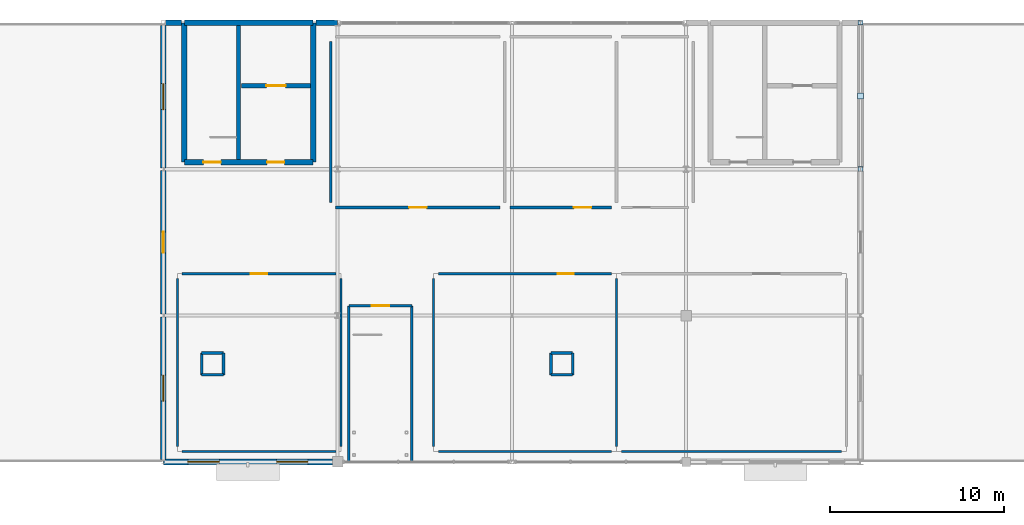
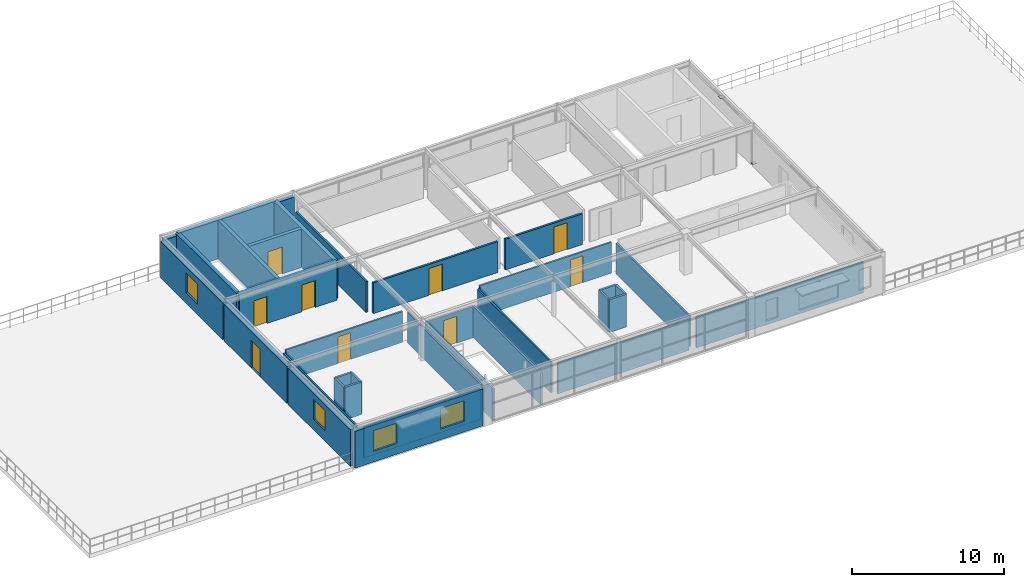
# One storey, part 10 of 12: 35 walls, 9 doors, 4 windows, 3 plates, 13 openings.
"""IFC4 building model written with IfcOpenShell, lengths in metres."""

from ifc_helpers import new_model, si_unit, derived_unit, direction, frame, frame_2d, origin, origin_2d_with_axis, place, context, subcontext, project, spatial, rectangle, extrude, material, layer, layer_set, type_object, element, fill, save


model = new_model("IFC4")

# Units and contexts
model_context = context("Model", 3, precision=1e-05, world=origin(), true_north=direction((0.0, 1.0)))
body_context = subcontext(model_context, "Body", "Model", "MODEL_VIEW")
ifc_project = project(units=[si_unit("LENGTHUNIT", "METRE"), si_unit("AREAUNIT", "SQUARE_METRE"), si_unit("VOLUMEUNIT", "CUBIC_METRE"), si_unit("PLANEANGLEUNIT", "RADIAN"), si_unit("MASSUNIT", "GRAM", prefix="KILO"), derived_unit("THERMALTRANSMITTANCEUNIT", [(si_unit("POWERUNIT", "WATT"), 1), (si_unit("LENGTHUNIT", "METRE"), -2), (si_unit("THERMODYNAMICTEMPERATUREUNIT", "KELVIN"), -1)])], contexts=[model_context])

# Site, building, storey
site_placement = place(None, origin())
site = spatial("IfcSite", under=ifc_project, at=site_placement, CompositionType="ELEMENT")
building_placement = place(site_placement, origin())
building = spatial("IfcBuilding", under=site, at=building_placement, Name="Cinnabar Yard Market Hall", CompositionType="ELEMENT")
storey_placement = place(building_placement, frame((0.0, 0.0, 15.300048828125)))
storey = spatial("IfcBuildingStorey", under=building, at=storey_placement, Name="L04", CompositionType="ELEMENT", Elevation=15.300048828125)

# Plates
ifc_material_1 = material(Name="Steel Grade 350 (350 MPa)", Category="steel")
ifc_layer_1 = layer(ifc_material_1, 0.01611328125)
ifc_layer_set_1 = layer_set([ifc_layer_1], Name="Steel Grade 350 (350 MPa)")
plate_type_1 = type_object("IfcPlateType", Name="PL-NP18E", PredefinedType="SHEET", material=ifc_layer_set_1)
plate_placement = place(storey_placement, frame((136.0, 133.800048828125, 2.891845703125), z_axis=(0.0, 0.0, 1.0), x_axis=(1.0, 0.0, 0.0)))
element("IfcPlate", 1, at=plate_placement, inside=storey, type_object=plate_type_1, Name="Brace Apex Gusset CBF-V3-E4", PredefinedType="SHEET", context=body_context, shape_type="SweptSolid", body=[
    extrude(rectangle(XDim=0.340087890625, YDim=0.340087890625, at=origin_2d_with_axis()), origin(), (0.0, 0.0, 1.0), 0.01611328125),
])
ifc_layer_2 = layer(ifc_material_1, 0.01611328125)
ifc_layer_set_2 = layer_set([ifc_layer_2], Name="Steel Grade 350 (350 MPa)")
plate_type_2 = type_object("IfcPlateType", Name="PL-NP19E", PredefinedType="SHEET", material=ifc_layer_set_2)
for number, where, z_axis, x_axis, name in (
    (2, (136.0, 129.60009765625, 0.1318359375), (0.0, 0.0, 1.0), (1.0, 0.0, 0.0), "Brace Base Gusset CBF-V3-E4 L"),
    (3, (136.0, 138.0, 0.1318359375), (0.0, 0.0, 1.0), (1.0, 0.0, 0.0), "Brace Base Gusset CBF-V3-E4 R"),
):
    element("IfcPlate", number, at=place(storey_placement, frame(where, z_axis=z_axis, x_axis=x_axis)), inside=storey, type_object=plate_type_2, Name=name, PredefinedType="SHEET", context=body_context, shape_type="SweptSolid", body=[
        extrude(rectangle(XDim=0.280029296875, YDim=0.280029296875, at=origin_2d_with_axis()), origin(), (0.0, 0.0, 1.0), 0.01611328125),
    ])

# Walls
ifc_material_2 = material(Name="Acoustic steel-stud plasterboard", Category="steel")
ifc_layer_3 = layer(ifc_material_2, 0.1201171875)
ifc_layer_set_3 = layer_set([ifc_layer_3], Name="Acoustic steel-stud plasterboard")
wall_type_1 = type_object("IfcWallType", Name="WL-PT120", PredefinedType="PARTITIONING", material=ifc_layer_set_3)
wall_1_placement = place(storey_placement, frame((97.080078125, 113.39990234375, 0.0), z_axis=(0.0, 0.0, 1.0), x_axis=(1.0, 0.0, 0.0)))
element("IfcWall", 4, at=wall_1_placement, inside=storey, type_object=wall_type_1, Name="Partition Market Management and Operations Office south", PredefinedType="PARTITIONING", context=body_context, shape_type="SweptSolid", body=[
    extrude(rectangle(XDim=8.83984375, YDim=0.1201171875, at=frame_2d((4.419921875, 0.0), x_axis=(1.0, 0.0))), origin(), (0.0, 0.0, 1.0), 2.469970703125),
])
wall_2_placement = place(storey_placement, frame((106.199951171875, 113.679931640625, 0.0), z_axis=(0.0, 0.0, 1.0), x_axis=(0.0, 1.0, 0.0)))
element("IfcWall", 5, at=wall_2_placement, inside=storey, type_object=wall_type_1, Name="Partition Market Management and Operations Office east", PredefinedType="PARTITIONING", context=body_context, shape_type="SweptSolid", body=[
    extrude(rectangle(XDim=9.64013671875, YDim=0.1201171875, at=frame_2d((4.820068359375, 0.0), x_axis=(1.0, 0.0))), origin(), (0.0, 0.0, 1.0), 2.469970703125),
])

# Wall, opening, door
wall_3_placement = place(storey_placement, frame((105.919921875, 123.60009765625, 0.0), z_axis=(0.0, 0.0, 1.0), x_axis=(-1.0, 0.0, 0.0)))
wall_3 = element("IfcWall", 6, at=wall_3_placement, inside=storey, type_object=wall_type_1, Name="Partition Market Management and Operations Office north", PredefinedType="PARTITIONING", context=body_context, shape_type="SweptSolid", body=[
    extrude(rectangle(XDim=8.83984375, YDim=0.1201171875, at=frame_2d((4.419921875, 0.0), x_axis=(1.0, 0.0))), origin(), (0.0, 0.0, 1.0), 2.469970703125),
])
opening_1_placement = place(wall_3_placement, frame((3.945068359375, 0.0, 0.0)))
opening_1 = element("IfcOpeningElement", 7, at=opening_1_placement, cuts=wall_3, Name="Opening ID-184", PredefinedType="OPENING", context=body_context, shape_type="SweptSolid", body=[
    extrude(rectangle(XDim=0.949951171875, YDim=2.14990234375, at=frame_2d((0.47509765625, 1.074951171875), x_axis=(1.0, 0.0))), frame((0.0, 0.070068359375, 0.0), z_axis=(0.0, -1.0, 0.0), x_axis=(1.0, 0.0, 0.0)), (0.0, 0.0, 1.0), 0.14013671875),
])
ifc_material_3 = material(Name="Solid-core spotted gum timber", Category="wood")
door_type_1 = type_object("IfcDoorType", Name="DR-D06", OperationType="NOTDEFINED", PredefinedType="DOOR", material=ifc_material_3)
door_1_placement = place(opening_1_placement, origin())
door_1 = element("IfcDoor", 8, at=door_1_placement, inside=storey, type_object=door_type_1, Name="Interior Door ID-184", OperationType="SINGLE_SWING_LEFT", OverallHeight=2.14990234375, OverallWidth=0.949951171875, PredefinedType="DOOR", context=body_context, shape_type="SweptSolid", body=[
    extrude(rectangle(XDim=0.949951171875, YDim=2.14990234375, at=frame_2d((0.47509765625, 1.074951171875), x_axis=(1.0, 0.0))), frame((0.0, 0.02490234375, 0.0), z_axis=(0.0, -1.0, 0.0), x_axis=(1.0, 0.0, 0.0)), (0.0, 0.0, 1.0), 0.050048828125),
])
fill(opening_1, door_1)

# Walls
wall_4_placement = place(storey_placement, frame((96.800048828125, 123.320068359375, 0.0), z_axis=(0.0, 0.0, 1.0), x_axis=(0.0, -1.0, 0.0)))
element("IfcWall", 9, at=wall_4_placement, inside=storey, type_object=wall_type_1, Name="Partition Market Management and Operations Office west", PredefinedType="PARTITIONING", context=body_context, shape_type="SweptSolid", body=[
    extrude(rectangle(XDim=9.64013671875, YDim=0.1201171875, at=frame_2d((4.820068359375, 0.0), x_axis=(1.0, 0.0))), origin(), (0.0, 0.0, 1.0), 2.469970703125),
])
wall_5_placement = place(storey_placement, frame((111.780029296875, 113.39990234375, 0.0), z_axis=(0.0, 0.0, 1.0), x_axis=(1.0, 0.0, 0.0)))
element("IfcWall", 10, at=wall_5_placement, inside=storey, type_object=wall_type_1, Name="Partition Stallholder Services and Finance Office south", PredefinedType="PARTITIONING", context=body_context, shape_type="SweptSolid", body=[
    extrude(rectangle(XDim=9.93994140625, YDim=0.1201171875, at=frame_2d((4.969970703125, 0.0), x_axis=(1.0, 0.0))), origin(), (0.0, 0.0, 1.0), 2.469970703125),
])
wall_6_placement = place(storey_placement, frame((122.0, 113.679931640625, 0.0), z_axis=(0.0, 0.0, 1.0), x_axis=(0.0, 1.0, 0.0)))
element("IfcWall", 11, at=wall_6_placement, inside=storey, type_object=wall_type_1, Name="Partition Stallholder Services and Finance Office east", PredefinedType="PARTITIONING", context=body_context, shape_type="SweptSolid", body=[
    extrude(rectangle(XDim=9.64013671875, YDim=0.1201171875, at=frame_2d((4.820068359375, 0.0), x_axis=(1.0, 0.0))), origin(), (0.0, 0.0, 1.0), 2.469970703125),
])

# Wall, opening, door
wall_7_placement = place(storey_placement, frame((121.719970703125, 123.60009765625, 0.0), z_axis=(0.0, 0.0, 1.0), x_axis=(-1.0, 0.0, 0.0)))
wall_7 = element("IfcWall", 12, at=wall_7_placement, inside=storey, type_object=wall_type_1, Name="Partition Stallholder Services and Finance Office north", PredefinedType="PARTITIONING", context=body_context, shape_type="SweptSolid", body=[
    extrude(rectangle(XDim=9.93994140625, YDim=0.1201171875, at=frame_2d((4.969970703125, 0.0), x_axis=(1.0, 0.0))), origin(), (0.0, 0.0, 1.0), 2.469970703125),
])
opening_2_placement = place(wall_7_placement, frame((2.164794921875, 0.0, 0.0)))
opening_2 = element("IfcOpeningElement", 13, at=opening_2_placement, cuts=wall_7, Name="Opening ID-185", PredefinedType="OPENING", context=body_context, shape_type="SweptSolid", body=[
    extrude(rectangle(XDim=0.919921875, YDim=2.14990234375, at=frame_2d((0.4599609375, 1.074951171875), x_axis=(1.0, 0.0))), frame((0.0, 0.070068359375, 0.0), z_axis=(0.0, -1.0, 0.0), x_axis=(1.0, 0.0, 0.0)), (0.0, 0.0, 1.0), 0.14013671875),
])
door_type_2 = type_object("IfcDoorType", Name="DR-D07", OperationType="NOTDEFINED", PredefinedType="DOOR", material=ifc_material_3)
door_2_placement = place(opening_2_placement, origin())
door_2 = element("IfcDoor", 14, at=door_2_placement, inside=storey, type_object=door_type_2, Name="Interior Door ID-185", OperationType="SINGLE_SWING_RIGHT", OverallHeight=2.14990234375, OverallWidth=0.919921875, PredefinedType="DOOR", context=body_context, shape_type="SweptSolid", body=[
    extrude(rectangle(XDim=0.919921875, YDim=2.14990234375, at=frame_2d((0.4599609375, 1.074951171875), x_axis=(1.0, 0.0))), frame((0.0, 0.02490234375, 0.0), z_axis=(0.0, -1.0, 0.0), x_axis=(1.0, 0.0, 0.0)), (0.0, 0.0, 1.0), 0.050048828125),
])
fill(opening_2, door_2)

# Walls
wall_8_placement = place(storey_placement, frame((111.5, 123.320068359375, 0.0), z_axis=(0.0, 0.0, 1.0), x_axis=(0.0, -1.0, 0.0)))
element("IfcWall", 15, at=wall_8_placement, inside=storey, type_object=wall_type_1, Name="Partition Stallholder Services and Finance Office west", PredefinedType="PARTITIONING", context=body_context, shape_type="SweptSolid", body=[
    extrude(rectangle(XDim=9.64013671875, YDim=0.1201171875, at=frame_2d((4.820068359375, 0.0), x_axis=(1.0, 0.0))), origin(), (0.0, 0.0, 1.0), 2.469970703125),
])
wall_9_placement = place(storey_placement, frame((122.280029296875, 113.39990234375, 0.0), z_axis=(0.0, 0.0, 1.0), x_axis=(1.0, 0.0, 0.0)))
element("IfcWall", 16, at=wall_9_placement, inside=storey, type_object=wall_type_1, Name="Partition Traders Cooperative Assembly Hall south", PredefinedType="PARTITIONING", context=body_context, shape_type="SweptSolid", body=[
    extrude(rectangle(XDim=12.639892578125, YDim=0.1201171875, at=frame_2d((6.31982421875, 0.0), x_axis=(1.0, 0.0))), origin(), (0.0, 0.0, 1.0), 2.469970703125),
])
ifc_material_4 = material(Name="Fire-rated steel-stud plasterboard", Category="steel")
ifc_layer_4 = layer(ifc_material_4, 0.14990234375)
ifc_layer_set_4 = layer_set([ifc_layer_4], Name="Fire-rated steel-stud plasterboard")
wall_type_2 = type_object("IfcWallType", Name="WL-PT150", PredefinedType="PARTITIONING", material=ifc_layer_set_4)
for number, where, z_axis, x_axis, name in (
    (17, (106.639892578125, 121.760009765625, 0.0), (0.0, 0.0, 1.0), (0.0, -1.0, 0.0), "Stair ST-F4 Shaft Wall W L04"),
    (18, (110.260009765625, 112.840087890625, 0.0), (0.0, 0.0, 1.0), (0.0, 1.0, 0.0), "Stair ST-F4 Shaft Wall E L04"),
):
    element("IfcWall", number, at=place(storey_placement, frame(where, z_axis=z_axis, x_axis=x_axis)), inside=storey, type_object=wall_type_2, Name=name, PredefinedType="PARTITIONING", context=body_context, shape_type="SweptSolid", body=[
        extrude(rectangle(XDim=8.919921875, YDim=0.14990234375, at=frame_2d((4.4599609375, 0.0), x_axis=(1.0, 0.0))), origin(), (0.0, 0.0, 1.0), 2.510009765625),
    ])

# Wall, opening, door
wall_10_placement = place(storey_placement, frame((110.260009765625, 121.760009765625, 0.0), z_axis=(0.0, 0.0, 1.0), x_axis=(-1.0, 0.0, 0.0)))
wall_10 = element("IfcWall", 19, at=wall_10_placement, inside=storey, type_object=wall_type_2, Name="Stair ST-F4 Shaft Wall N L04", PredefinedType="PARTITIONING", context=body_context, shape_type="SweptSolid", body=[
    extrude(rectangle(XDim=3.6201171875, YDim=0.14990234375, at=frame_2d((1.81005859375, 0.0), x_axis=(1.0, 0.0))), origin(), (0.0, 0.0, 1.0), 2.510009765625),
])
opening_3_placement = place(wall_10_placement, frame((1.31005859375, 0.0, 0.0)))
opening_3 = element("IfcOpeningElement", 20, at=opening_3_placement, cuts=wall_10, Name="Opening CD-077", PredefinedType="OPENING", context=body_context, shape_type="SweptSolid", body=[
    extrude(rectangle(XDim=1.0, YDim=2.14990234375, at=frame_2d((0.5, 1.074951171875), x_axis=(1.0, 0.0))), frame((0.0, 0.0849609375, 0.0), z_axis=(0.0, -1.0, 0.0), x_axis=(1.0, 0.0, 0.0)), (0.0, 0.0, 1.0), 0.169921875),
])
door_type_3 = type_object("IfcDoorType", Name="DR-D05", OperationType="NOTDEFINED", PredefinedType="DOOR", material=ifc_material_3)
door_3_placement = place(opening_3_placement, origin())
door_3 = element("IfcDoor", 21, at=door_3_placement, inside=storey, type_object=door_type_3, Name="Stair Door CD-077", OperationType="SINGLE_SWING_LEFT", OverallHeight=2.14990234375, OverallWidth=1.0, PredefinedType="DOOR", context=body_context, shape_type="SweptSolid", body=[
    extrude(rectangle(XDim=1.0, YDim=2.14990234375, at=frame_2d((0.5, 1.074951171875), x_axis=(1.0, 0.0))), frame((0.0, 0.02490234375, 0.0), z_axis=(0.0, -1.0, 0.0), x_axis=(1.0, 0.0, 0.0)), (0.0, 0.0, 1.0), 0.050048828125),
])
fill(opening_3, door_3)

# Walls
for number, where, z_axis, x_axis, name in (
    (22, (98.199951171875, 117.800048828125, 0.0), (0.0, 0.0, 1.0), (1.0, 0.0, 0.0), "Service Shaft Wall L04-1-1"),
    (23, (99.449951171875, 117.800048828125, 0.0), (0.0, 0.0, 1.0), (0.0, 1.0, 0.0), "Service Shaft Wall L04-1-2"),
    (24, (99.449951171875, 119.050048828125, 0.0), (0.0, 0.0, 1.0), (-1.0, 0.0, 0.0), "Service Shaft Wall L04-1-3"),
    (25, (98.199951171875, 119.050048828125, 0.0), (0.0, 0.0, 1.0), (0.0, -1.0, 0.0), "Service Shaft Wall L04-1-4"),
    (26, (118.239990234375, 117.800048828125, 0.0), (0.0, 0.0, 1.0), (1.0, 0.0, 0.0), "Service Shaft Wall L04-2-1"),
    (27, (119.489990234375, 117.800048828125, 0.0), (0.0, 0.0, 1.0), (0.0, 1.0, 0.0), "Service Shaft Wall L04-2-2"),
    (28, (119.489990234375, 119.050048828125, 0.0), (0.0, 0.0, 1.0), (-1.0, 0.0, 0.0), "Service Shaft Wall L04-2-3"),
    (29, (118.239990234375, 119.050048828125, 0.0), (0.0, 0.0, 1.0), (0.0, -1.0, 0.0), "Service Shaft Wall L04-2-4"),
):
    element("IfcWall", number, at=place(storey_placement, frame(where, z_axis=z_axis, x_axis=x_axis)), inside=storey, type_object=wall_type_2, Name=name, PredefinedType="PARTITIONING", context=body_context, shape_type="SweptSolid", body=[
        extrude(rectangle(XDim=1.25, YDim=0.14990234375, at=frame_2d((0.625, 0.0), x_axis=(1.0, 0.0))), origin(), (0.0, 0.0, 1.0), 2.60986328125),
    ])

# Wall, opening, door
wall_11_placement = place(storey_placement, frame((105.8798828125, 127.39990234375, 0.0), z_axis=(0.0, 0.0, 1.0), x_axis=(1.0, 0.0, 0.0)))
wall_11 = element("IfcWall", 30, at=wall_11_placement, inside=storey, type_object=wall_type_2, Name="Partition Market Weights, Measures and Archive Store south", PredefinedType="PARTITIONING", context=body_context, shape_type="SweptSolid", body=[
    extrude(rectangle(XDim=9.440185546875, YDim=0.14990234375, at=frame_2d((4.72021484375, 0.0), x_axis=(1.0, 0.0))), origin(), (0.0, 0.0, 1.0), 2.469970703125),
])
opening_4_placement = place(wall_11_placement, frame((4.219970703125, 0.0, 0.0)))
opening_4 = element("IfcOpeningElement", 31, at=opening_4_placement, cuts=wall_11, Name="Opening ID-187", PredefinedType="OPENING", context=body_context, shape_type="SweptSolid", body=[
    extrude(rectangle(XDim=1.0, YDim=2.14990234375, at=frame_2d((0.5, 1.074951171875), x_axis=(1.0, 0.0))), frame((0.0, 0.0849609375, 0.0), z_axis=(0.0, -1.0, 0.0), x_axis=(1.0, 0.0, 0.0)), (0.0, 0.0, 1.0), 0.169921875),
])
door_4_placement = place(opening_4_placement, origin())
door_4 = element("IfcDoor", 32, at=door_4_placement, inside=storey, type_object=door_type_3, Name="Interior Door ID-187", OperationType="SINGLE_SWING_RIGHT", OverallHeight=2.14990234375, OverallWidth=1.0, PredefinedType="DOOR", context=body_context, shape_type="SweptSolid", body=[
    extrude(rectangle(XDim=1.0, YDim=2.14990234375, at=frame_2d((0.5, 1.074951171875), x_axis=(1.0, 0.0))), frame((0.0, 0.02490234375, 0.0), z_axis=(0.0, -1.0, 0.0), x_axis=(1.0, 0.0, 0.0)), (0.0, 0.0, 1.0), 0.050048828125),
])
fill(opening_4, door_4)

# Wall
wall_12_placement = place(storey_placement, frame((105.60009765625, 136.919921875, 0.0), z_axis=(0.0, 0.0, 1.0), x_axis=(0.0, -1.0, 0.0)))
element("IfcWall", 33, at=wall_12_placement, inside=storey, type_object=wall_type_2, Name="Partition Market Weights, Measures and Archive Store west", PredefinedType="PARTITIONING", context=body_context, shape_type="SweptSolid", body=[
    extrude(rectangle(XDim=9.239990234375, YDim=0.14990234375, at=frame_2d((4.6201171875, 0.0), x_axis=(1.0, 0.0))), origin(), (0.0, 0.0, 1.0), 2.469970703125),
])

# Wall, opening, door
wall_13_placement = place(storey_placement, frame((115.8798828125, 127.39990234375, 0.0), z_axis=(0.0, 0.0, 1.0), x_axis=(1.0, 0.0, 0.0)))
wall_13 = element("IfcWall", 34, at=wall_13_placement, inside=storey, type_object=wall_type_2, Name="Partition Belvedere Heat-Pump and AHU Plant Room south", PredefinedType="PARTITIONING", context=body_context, shape_type="SweptSolid", body=[
    extrude(rectangle(XDim=5.840087890625, YDim=0.14990234375, at=frame_2d((2.919921875, 0.0), x_axis=(1.0, 0.0))), origin(), (0.0, 0.0, 1.0), 2.469970703125),
])
opening_5_placement = place(wall_13_placement, frame((3.678466796875, 0.0, 0.0)))
opening_5 = element("IfcOpeningElement", 35, at=opening_5_placement, cuts=wall_13, Name="Opening ID-188", PredefinedType="OPENING", context=body_context, shape_type="SweptSolid", body=[
    extrude(rectangle(XDim=1.0, YDim=2.14990234375, at=frame_2d((0.5, 1.074951171875), x_axis=(1.0, 0.0))), frame((0.0, 0.0849609375, 0.0), z_axis=(0.0, -1.0, 0.0), x_axis=(1.0, 0.0, 0.0)), (0.0, 0.0, 1.0), 0.169921875),
])
door_5_placement = place(opening_5_placement, origin())
door_5 = element("IfcDoor", 36, at=door_5_placement, inside=storey, type_object=door_type_3, Name="Interior Door ID-188", OperationType="SINGLE_SWING_LEFT", OverallHeight=2.14990234375, OverallWidth=1.0, PredefinedType="DOOR", context=body_context, shape_type="SweptSolid", body=[
    extrude(rectangle(XDim=1.0, YDim=2.14990234375, at=frame_2d((0.5, 1.074951171875), x_axis=(1.0, 0.0))), frame((0.0, 0.02490234375, 0.0), z_axis=(0.0, -1.0, 0.0), x_axis=(1.0, 0.0, 0.0)), (0.0, 0.0, 1.0), 0.050048828125),
])
fill(opening_5, door_5)

# Walls
ifc_material_5 = material(Name="Concrete 40 MPa", Category="concrete")
ifc_layer_5 = layer(ifc_material_5, 0.300048828125)
ifc_layer_set_5 = layer_set([ifc_layer_5], Name="Concrete 40 MPa")
wall_type_3 = type_object("IfcWallType", Name="WL-W-CORE", PredefinedType="SHEAR", material=ifc_layer_set_5)
for number, where, z_axis, x_axis, name in (
    (37, (97.199951171875, 138.0, 0.0), (0.0, 0.0, 1.0), (0.0, -1.0, 0.0), "Core C5 West Shear Wall L04"),
    (38, (104.60009765625, 130.0, 0.0), (0.0, 0.0, 1.0), (0.0, 1.0, 0.0), "Core C5 East Shear Wall L04"),
):
    element("IfcWall", number, at=place(storey_placement, frame(where, z_axis=z_axis, x_axis=x_axis)), inside=storey, type_object=wall_type_3, Name=name, PredefinedType="SHEAR", context=body_context, shape_type="SweptSolid", body=[
        extrude(rectangle(XDim=8.0, YDim=0.300048828125, at=frame_2d((4.0, 0.0), x_axis=(1.0, 0.0))), origin(), (0.0, 0.0, 1.0), 3.08984375),
    ])

# Wall, openings, doors
wall_14_placement = place(storey_placement, frame((97.199951171875, 130.0, 0.0), z_axis=(0.0, 0.0, 1.0), x_axis=(1.0, 0.0, 0.0)))
wall_14 = element("IfcWall", 39, at=wall_14_placement, inside=storey, type_object=wall_type_3, Name="Core C5 South Shear Wall L04", PredefinedType="SHEAR", context=body_context, shape_type="SweptSolid", body=[
    extrude(rectangle(XDim=7.400146484375, YDim=0.300048828125, at=frame_2d((3.7001953125, 0.0), x_axis=(1.0, 0.0))), origin(), (0.0, 0.0, 1.0), 3.08984375),
])
opening_6_placement = place(wall_14_placement, frame((1.10009765625, 0.0, 0.0)))
opening_6 = element("IfcOpeningElement", 40, at=opening_6_placement, cuts=wall_14, Name="Opening CD-039", PredefinedType="OPENING", context=body_context, shape_type="SweptSolid", body=[
    extrude(rectangle(XDim=1.0, YDim=2.14990234375, at=frame_2d((0.5, 1.074951171875), x_axis=(1.0, 0.0))), frame((0.0, 0.159912109375, 0.0), z_axis=(0.0, -1.0, 0.0), x_axis=(1.0, 0.0, 0.0)), (0.0, 0.0, 1.0), 0.320068359375),
])
opening_7_placement = place(wall_14_placement, frame((4.75, 0.0, 0.0)))
opening_7 = element("IfcOpeningElement", 41, at=opening_7_placement, cuts=wall_14, Name="Opening CD-040", PredefinedType="OPENING", context=body_context, shape_type="SweptSolid", body=[
    extrude(rectangle(XDim=1.0, YDim=2.14990234375, at=frame_2d((0.5, 1.074951171875), x_axis=(1.0, 0.0))), frame((0.0, 0.159912109375, 0.0), z_axis=(0.0, -1.0, 0.0), x_axis=(1.0, 0.0, 0.0)), (0.0, 0.0, 1.0), 0.320068359375),
])
door_6_placement = place(opening_6_placement, origin())
door_6 = element("IfcDoor", 42, at=door_6_placement, inside=storey, type_object=door_type_3, Name="Core Door CD-039", OperationType="SINGLE_SWING_RIGHT", OverallHeight=2.14990234375, OverallWidth=1.0, PredefinedType="DOOR", context=body_context, shape_type="SweptSolid", body=[
    extrude(rectangle(XDim=1.0, YDim=2.14990234375, at=frame_2d((0.5, 1.074951171875), x_axis=(1.0, 0.0))), frame((0.0, 0.02490234375, 0.0), z_axis=(0.0, -1.0, 0.0), x_axis=(1.0, 0.0, 0.0)), (0.0, 0.0, 1.0), 0.050048828125),
])
fill(opening_6, door_6)
door_7_placement = place(opening_7_placement, origin())
door_7 = element("IfcDoor", 43, at=door_7_placement, inside=storey, type_object=door_type_3, Name="Core Door CD-040", OperationType="SINGLE_SWING_LEFT", OverallHeight=2.14990234375, OverallWidth=1.0, PredefinedType="DOOR", context=body_context, shape_type="SweptSolid", body=[
    extrude(rectangle(XDim=1.0, YDim=2.14990234375, at=frame_2d((0.5, 1.074951171875), x_axis=(1.0, 0.0))), frame((0.0, 0.02490234375, 0.0), z_axis=(0.0, -1.0, 0.0), x_axis=(1.0, 0.0, 0.0)), (0.0, 0.0, 1.0), 0.050048828125),
])
fill(opening_7, door_7)

# Wall
wall_15_placement = place(storey_placement, frame((104.60009765625, 138.0, 0.0), z_axis=(0.0, 0.0, 1.0), x_axis=(-1.0, 0.0, 0.0)))
element("IfcWall", 44, at=wall_15_placement, inside=storey, type_object=wall_type_3, Name="Core C5 North Shear Wall L04", PredefinedType="SHEAR", context=body_context, shape_type="SweptSolid", body=[
    extrude(rectangle(XDim=7.400146484375, YDim=0.300048828125, at=frame_2d((3.7001953125, 0.0), x_axis=(1.0, 0.0))), origin(), (0.0, 0.0, 1.0), 3.08984375),
])

# Wall, openings, windows
ifc_material_6 = material(Name="Cream limestone and Concrete 32 MPa", Category="masonry")
ifc_layer_6 = layer(ifc_material_6, 0.320068359375)
ifc_layer_set_6 = layer_set([ifc_layer_6], Name="Cream limestone and Concrete 32 MPa")
wall_type_4 = type_object("IfcWallType", Name="WL-W-EXT2", PredefinedType="SOLIDWALL", material=ifc_layer_set_6)
wall_16_placement = place(storey_placement, frame((96.010009765625, 112.800048828125, 0.0), z_axis=(0.0, 0.0, 1.0), x_axis=(1.0, 0.0, 0.0)))
wall_16 = element("IfcWall", 45, at=wall_16_placement, inside=storey, type_object=wall_type_4, Name="Wing South Wall L04 Bay 1", PredefinedType="SOLIDWALL", context=body_context, shape_type="SweptSolid", body=[
    extrude(rectangle(XDim=9.68603515625, YDim=0.320068359375, at=frame_2d((4.843017578125, 0.0), x_axis=(1.0, 0.0))), origin(), (0.0, 0.0, 1.0), 2.93994140625),
])
opening_8_placement = place(wall_16_placement, frame((1.39990234375, 0.0, 0.85009765625)))
opening_8 = element("IfcOpeningElement", 46, at=opening_8_placement, cuts=wall_16, Name="Opening W11", PredefinedType="OPENING", context=body_context, shape_type="SweptSolid", body=[
    extrude(rectangle(XDim=1.800048828125, YDim=1.64990234375, at=frame_2d((0.89990234375, 0.824951171875), x_axis=(1.0, 0.0))), frame((0.0, 0.169921875, 0.0), z_axis=(0.0, -1.0, 0.0), x_axis=(1.0, 0.0, 0.0)), (0.0, 0.0, 1.0), 0.340087890625),
])
opening_9_placement = place(wall_16_placement, frame((6.486083984375, 0.0, 0.85009765625)))
opening_9 = element("IfcOpeningElement", 47, at=opening_9_placement, cuts=wall_16, Name="Opening W11", PredefinedType="OPENING", context=body_context, shape_type="SweptSolid", body=[
    extrude(rectangle(XDim=1.800048828125, YDim=1.64990234375, at=frame_2d((0.89990234375, 0.824951171875), x_axis=(1.0, 0.0))), frame((0.0, 0.169921875, 0.0), z_axis=(0.0, -1.0, 0.0), x_axis=(1.0, 0.0, 0.0)), (0.0, 0.0, 1.0), 0.340087890625),
])
ifc_material_7 = material(Name="Upper Masterclass double glazing in bronze aluminium", Category="aluminium")
window_type_1 = type_object("IfcWindowType", Name="WN-W11", PartitioningType="SINGLE_PANEL", PredefinedType="WINDOW", material=ifc_material_7)
window_1_placement = place(opening_8_placement, origin())
window_1 = element("IfcWindow", 48, at=window_1_placement, inside=storey, type_object=window_type_1, Name="Window WN-V3S-L04-1A", OverallHeight=1.64990234375, OverallWidth=1.800048828125, PartitioningType="SINGLE_PANEL", PredefinedType="WINDOW", context=body_context, shape_type="SweptSolid", body=[
    extrude(rectangle(XDim=1.800048828125, YDim=1.64990234375, at=frame_2d((0.89990234375, 0.824951171875), x_axis=(1.0, 0.0))), frame((0.0, 0.030029296875, 0.0), z_axis=(0.0, -1.0, 0.0), x_axis=(1.0, 0.0, 0.0)), (0.0, 0.0, 1.0), 0.06005859375),
])
fill(opening_8, window_1)
window_2_placement = place(opening_9_placement, origin())
window_2 = element("IfcWindow", 49, at=window_2_placement, inside=storey, type_object=window_type_1, Name="Window WN-V3S-L04-1B", OverallHeight=1.64990234375, OverallWidth=1.800048828125, PartitioningType="SINGLE_PANEL", PredefinedType="WINDOW", context=body_context, shape_type="SweptSolid", body=[
    extrude(rectangle(XDim=1.800048828125, YDim=1.64990234375, at=frame_2d((0.89990234375, 0.824951171875), x_axis=(1.0, 0.0))), frame((0.0, 0.030029296875, 0.0), z_axis=(0.0, -1.0, 0.0), x_axis=(1.0, 0.0, 0.0)), (0.0, 0.0, 1.0), 0.06005859375),
])
fill(opening_9, window_2)

# Walls
wall_17_placement = place(storey_placement, frame((97.050048828125, 138.0, 0.0), z_axis=(0.0, 0.0, 1.0), x_axis=(-1.0, 0.0, 0.0)))
element("IfcWall", 50, at=wall_17_placement, inside=storey, type_object=wall_type_4, Name="Wing North Flank L04 Bay 1W", PredefinedType="SOLIDWALL", context=body_context, shape_type="SweptSolid", body=[
    extrude(rectangle(XDim=0.91943359375, YDim=0.320068359375, at=frame_2d((0.459716796875, 0.0), x_axis=(1.0, 0.0))), origin(), (0.0, 0.0, 1.0), 2.93994140625),
])
wall_18_placement = place(storey_placement, frame((105.989990234375, 138.0, 0.0), z_axis=(0.0, 0.0, 1.0), x_axis=(-1.0, 0.0, 0.0)))
element("IfcWall", 51, at=wall_18_placement, inside=storey, type_object=wall_type_4, Name="Wing North Flank L04 Bay 1E", PredefinedType="SOLIDWALL", context=body_context, shape_type="SweptSolid", body=[
    extrude(rectangle(XDim=1.239990234375, YDim=0.320068359375, at=frame_2d((0.6201171875, 0.0), x_axis=(1.0, 0.0))), origin(), (0.0, 0.0, 1.0), 2.93994140625),
])

# Wall, opening, window
wall_19_placement = place(storey_placement, frame((96.0, 121.1171875, 0.0), z_axis=(0.0, 0.0, 1.0), x_axis=(0.0, -1.0, 0.0)))
wall_19 = element("IfcWall", 52, at=wall_19_placement, inside=storey, type_object=wall_type_4, Name="Wing West End Wall L04 Seg 1", PredefinedType="SOLIDWALL", context=body_context, shape_type="SweptSolid", body=[
    extrude(rectangle(XDim=8.162109375, YDim=0.320068359375, at=frame_2d((4.0810546875, 0.0), x_axis=(1.0, 0.0))), origin(), (0.0, 0.0, 1.0), 2.93994140625),
])
opening_10_placement = place(wall_19_placement, frame((3.3310546875, 0.0, 0.85009765625)))
opening_10 = element("IfcOpeningElement", 53, at=opening_10_placement, cuts=wall_19, Name="Opening W03", PredefinedType="OPENING", context=body_context, shape_type="SweptSolid", body=[
    extrude(rectangle(XDim=1.5, YDim=1.60009765625, at=frame_2d((0.75, 0.800048828125), x_axis=(1.0, 0.0))), frame((0.0, 0.169921875, 0.0), z_axis=(0.0, -1.0, 0.0), x_axis=(1.0, 0.0, 0.0)), (0.0, 0.0, 1.0), 0.340087890625),
])
ifc_material_8 = material(Name="Low-E double glazing in bronze aluminium", Category="aluminium")
window_type_2 = type_object("IfcWindowType", Name="WN-W03", PartitioningType="SINGLE_PANEL", PredefinedType="WINDOW", material=ifc_material_8)
window_3_placement = place(opening_10_placement, origin())
window_3 = element("IfcWindow", 54, at=window_3_placement, inside=storey, type_object=window_type_2, Name="Window WN-V3W-L04-1", OverallHeight=1.60009765625, OverallWidth=1.5, PartitioningType="SINGLE_PANEL", PredefinedType="WINDOW", context=body_context, shape_type="SweptSolid", body=[
    extrude(rectangle(XDim=1.5, YDim=1.60009765625, at=frame_2d((0.75, 0.800048828125), x_axis=(1.0, 0.0))), frame((0.0, 0.030029296875, 0.0), z_axis=(0.0, -1.0, 0.0), x_axis=(1.0, 0.0, 0.0)), (0.0, 0.0, 1.0), 0.06005859375),
])
fill(opening_10, window_3)

# Wall, opening, door
wall_20_placement = place(storey_placement, frame((96.0, 129.519775390625, 0.0), z_axis=(0.0, 0.0, 1.0), x_axis=(0.0, -1.0, 0.0)))
wall_20 = element("IfcWall", 55, at=wall_20_placement, inside=storey, type_object=wall_type_4, Name="Wing West End Wall L04 Seg 2", PredefinedType="SOLIDWALL", context=body_context, shape_type="SweptSolid", body=[
    extrude(rectangle(XDim=8.237060546875, YDim=0.320068359375, at=frame_2d((4.11865234375, 0.0), x_axis=(1.0, 0.0))), origin(), (0.0, 0.0, 1.0), 2.93994140625),
])
opening_11_placement = place(wall_20_placement, frame((3.5185546875, 0.0, 0.0)))
opening_11 = element("IfcOpeningElement", 56, at=opening_11_placement, cuts=wall_20, Name="Opening ED-041", PredefinedType="OPENING", context=body_context, shape_type="SweptSolid", body=[
    extrude(rectangle(XDim=1.199951171875, YDim=2.199951171875, at=frame_2d((0.60009765625, 1.10009765625), x_axis=(1.0, 0.0))), frame((0.0, 0.169921875, 0.0), z_axis=(0.0, -1.0, 0.0), x_axis=(1.0, 0.0, 0.0)), (0.0, 0.0, 1.0), 0.340087890625),
])
ifc_material_9 = material(Name="Anodised bronze aluminium and laminated glass", Category="aluminium")
door_type_4 = type_object("IfcDoorType", Name="DR-D04", OperationType="NOTDEFINED", PredefinedType="DOOR", material=ifc_material_9)
door_8_placement = place(opening_11_placement, origin())
door_8 = element("IfcDoor", 57, at=door_8_placement, inside=storey, type_object=door_type_4, Name="Door ED-041", OperationType="SINGLE_SWING_LEFT", OverallHeight=2.199951171875, OverallWidth=1.199951171875, PredefinedType="DOOR", context=body_context, shape_type="SweptSolid", body=[
    extrude(rectangle(XDim=1.199951171875, YDim=2.199951171875, at=frame_2d((0.60009765625, 1.10009765625), x_axis=(1.0, 0.0))), frame((0.0, 0.02490234375, 0.0), z_axis=(0.0, -1.0, 0.0), x_axis=(1.0, 0.0, 0.0)), (0.0, 0.0, 1.0), 0.050048828125),
])
fill(opening_11, door_8)

# Wall, opening, window
wall_21_placement = place(storey_placement, frame((96.0, 137.844970703125, 0.0), z_axis=(0.0, 0.0, 1.0), x_axis=(0.0, -1.0, 0.0)))
wall_21 = element("IfcWall", 58, at=wall_21_placement, inside=storey, type_object=wall_type_4, Name="Wing West End Wall L04 Seg 3", PredefinedType="SOLIDWALL", context=body_context, shape_type="SweptSolid", body=[
    extrude(rectangle(XDim=8.164794921875, YDim=0.320068359375, at=frame_2d((4.08251953125, 0.0), x_axis=(1.0, 0.0))), origin(), (0.0, 0.0, 1.0), 2.93994140625),
])
opening_12_placement = place(wall_21_placement, frame((3.33251953125, 0.0, 0.85009765625)))
opening_12 = element("IfcOpeningElement", 59, at=opening_12_placement, cuts=wall_21, Name="Opening W03", PredefinedType="OPENING", context=body_context, shape_type="SweptSolid", body=[
    extrude(rectangle(XDim=1.5, YDim=1.60009765625, at=frame_2d((0.75, 0.800048828125), x_axis=(1.0, 0.0))), frame((0.0, 0.169921875, 0.0), z_axis=(0.0, -1.0, 0.0), x_axis=(1.0, 0.0, 0.0)), (0.0, 0.0, 1.0), 0.340087890625),
])
window_4_placement = place(opening_12_placement, origin())
window_4 = element("IfcWindow", 60, at=window_4_placement, inside=storey, type_object=window_type_2, Name="Window WN-V3W-L04-3", OverallHeight=1.60009765625, OverallWidth=1.5, PartitioningType="SINGLE_PANEL", PredefinedType="WINDOW", context=body_context, shape_type="SweptSolid", body=[
    extrude(rectangle(XDim=1.5, YDim=1.60009765625, at=frame_2d((0.75, 0.800048828125), x_axis=(1.0, 0.0))), frame((0.0, 0.030029296875, 0.0), z_axis=(0.0, -1.0, 0.0), x_axis=(1.0, 0.0, 0.0)), (0.0, 0.0, 1.0), 0.06005859375),
])
fill(opening_12, window_4)

# Wall
ifc_layer_7 = layer(ifc_material_5, 0.25)
ifc_layer_set_7 = layer_set([ifc_layer_7], Name="Concrete 40 MPa")
wall_type_5 = type_object("IfcWallType", Name="WL-W-SHAFT", PredefinedType="SHEAR", material=ifc_layer_set_7)
wall_22_placement = place(storey_placement, frame((100.31494140625, 130.14990234375, 0.0), z_axis=(0.0, 0.0, 1.0), x_axis=(0.0, 1.0, 0.0)))
element("IfcWall", 61, at=wall_22_placement, inside=storey, type_object=wall_type_5, Name="Core C5 Shaft Divider L04", PredefinedType="SHEAR", context=body_context, shape_type="SweptSolid", body=[
    extrude(rectangle(XDim=7.7001953125, YDim=0.25, at=frame_2d((3.85009765625, 0.0), x_axis=(1.0, 0.0))), origin(), (0.0, 0.0, 1.0), 3.08984375),
])

# Wall, opening, door
wall_23_placement = place(storey_placement, frame((100.47998046875, 134.3798828125, 0.0), z_axis=(0.0, 0.0, 1.0), x_axis=(1.0, 0.0, 0.0)))
wall_23 = element("IfcWall", 62, at=wall_23_placement, inside=storey, type_object=wall_type_5, Name="Core C5 Lift Front Wall L04", PredefinedType="SHEAR", context=body_context, shape_type="SweptSolid", body=[
    extrude(rectangle(XDim=3.969970703125, YDim=0.25, at=frame_2d((1.98486328125, 0.0), x_axis=(1.0, 0.0))), origin(), (0.0, 0.0, 1.0), 3.08984375),
])
opening_13_placement = place(wall_23_placement, frame((1.43505859375, 0.0, 0.0)))
opening_13 = element("IfcOpeningElement", 63, at=opening_13_placement, cuts=wall_23, Name="Opening LD-LF-02-L04", PredefinedType="OPENING", context=body_context, shape_type="SweptSolid", body=[
    extrude(rectangle(XDim=1.10009765625, YDim=2.14990234375, at=frame_2d((0.550048828125, 1.074951171875), x_axis=(1.0, 0.0))), frame((0.0, 0.135009765625, 0.0), z_axis=(0.0, -1.0, 0.0), x_axis=(1.0, 0.0, 0.0)), (0.0, 0.0, 1.0), 0.27001953125),
])
ifc_material_10 = material(Name="Brushed stainless steel landing door", Category="steel")
door_type_5 = type_object("IfcDoorType", Name="DR-LD01", OperationType="NOTDEFINED", PredefinedType="DOOR", material=ifc_material_10)
door_9_placement = place(opening_13_placement, origin())
door_9 = element("IfcDoor", 64, at=door_9_placement, inside=storey, type_object=door_type_5, Name="Lift Landing Door LD-LF-02-L04", OperationType="SLIDING_TO_LEFT", OverallHeight=2.14990234375, OverallWidth=1.10009765625, PredefinedType="DOOR", context=body_context, shape_type="SweptSolid", body=[
    extrude(rectangle(XDim=1.10009765625, YDim=2.14990234375, at=frame_2d((0.550048828125, 1.074951171875), x_axis=(1.0, 0.0))), frame((0.0, 0.02490234375, 0.0), z_axis=(0.0, -1.0, 0.0), x_axis=(1.0, 0.0, 0.0)), (0.0, 0.0, 1.0), 0.050048828125),
])
fill(opening_13, door_9)

save(model, "model.ifc")
